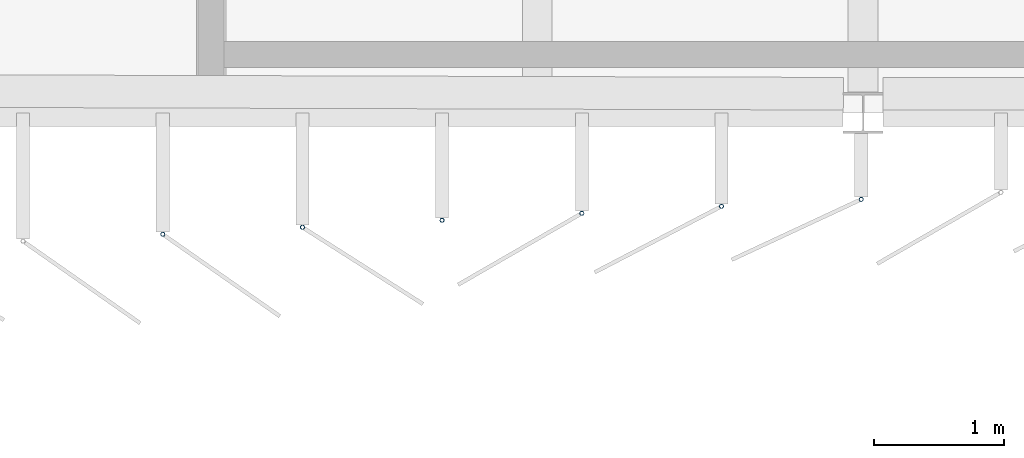
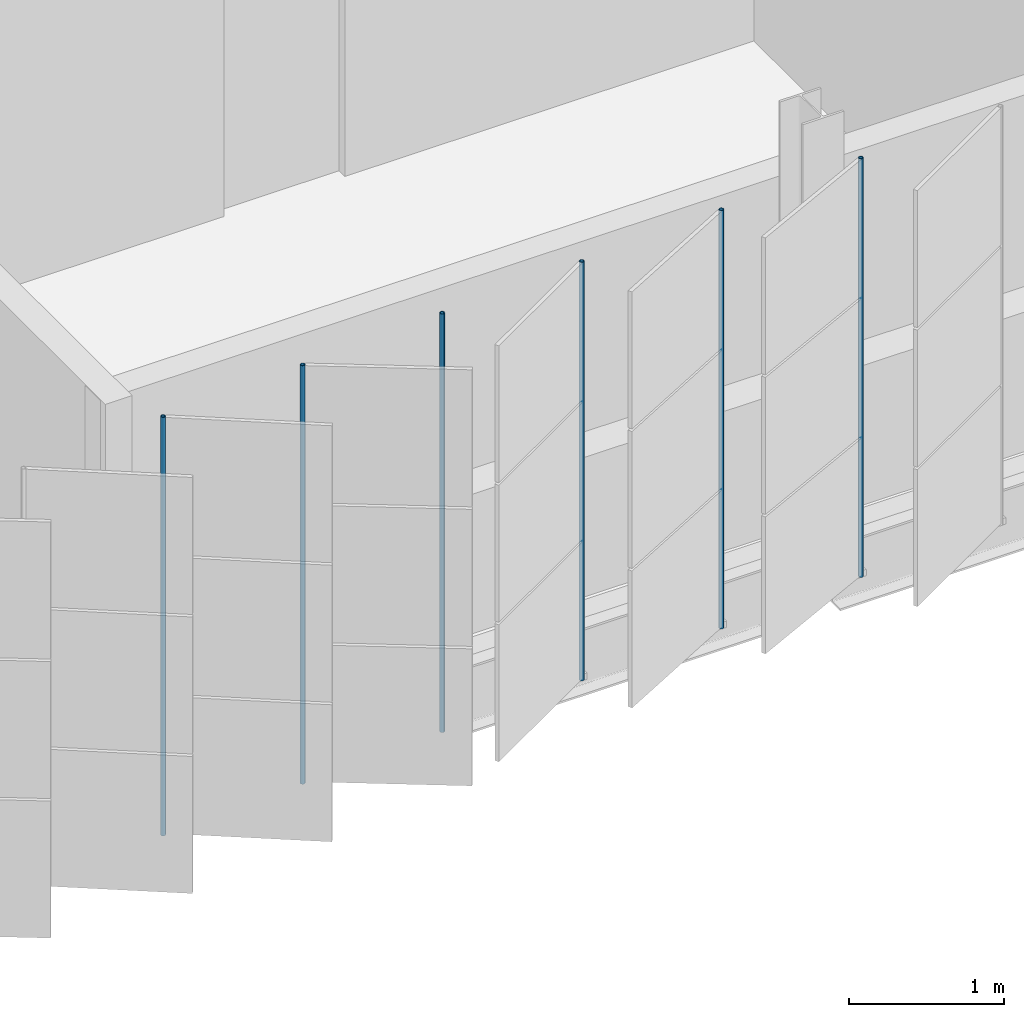
# One storey, part 83 of 214: 6 discrete accessories.
"""IFC4 building model written with IfcOpenShell, lengths in metres."""

from ifc_helpers import new_model, si_unit, direction, frame, origin, origin_2d, place, context, subcontext, project, spatial, hollow_circle, extrude, material, material_profile, profile_set, type_object, element, save


model = new_model("IFC4")

# Units and contexts
model_context = context("Model", 3, precision=1e-05, world=origin(), true_north=direction((0.0, 1.0)))
body_context = subcontext(model_context, "Body", "Model", "MODEL_VIEW")
ifc_project = project(units=[si_unit("LENGTHUNIT", "METRE"), si_unit("AREAUNIT", "SQUARE_METRE"), si_unit("VOLUMEUNIT", "CUBIC_METRE"), si_unit("PLANEANGLEUNIT", "RADIAN"), si_unit("MASSUNIT", "GRAM", prefix="KILO")], contexts=[model_context])

# Site, building, storey
site_placement = place(None, origin())
site = spatial("IfcSite", under=ifc_project, at=site_placement, CompositionType="ELEMENT")
building_placement = place(site_placement, origin())
building = spatial("IfcBuilding", under=site, at=building_placement, Name="Parallax Yard Mobility Hub", CompositionType="ELEMENT")
storey_placement = place(building_placement, frame((0.0, 0.0, 3.300048828125)))
storey = spatial("IfcBuildingStorey", under=building, at=storey_placement, Name="L01", CompositionType="ELEMENT", Elevation=3.300048828125)

# Discrete accessories
ifc_material = material(Name="Steel ASTM A500 Gr C, hot-dip galvanised", Category="steel")
ifc_material_profile = material_profile(ifc_material, hollow_circle(Radius=0.016845703125, WallThickness=0.003173828125, at=origin_2d()), Name="CHS 33.7x3.2")
ifc_profile_set = profile_set([ifc_material_profile], Name="Steel ASTM A500 Gr C, hot-dip galvanised")
discrete_accessory_type = type_object("IfcDiscreteAccessoryType", Name="Hinge post CHS 33.7x3.2", PredefinedType="BRACKET", material=ifc_profile_set)
for number, where, z_axis, x_axis, name in (
    (1, (32.12841796875, 111.569580078125, 0.0), (0.0, 0.0, 1.0), (1.0, 0.0, 0.0), "Hinge post bay 1.3 level L01"),
    (2, (33.19970703125, 111.623291015625, 0.0), (0.0, 0.0, 1.0), (1.0, 0.0, 0.0), "Hinge post bay 1.4 level L01"),
    (3, (34.271240234375, 111.6767578125, 0.0), (0.0, 0.0, 1.0), (1.0, 0.0, 0.0), "Hinge post bay 1.5 level L01"),
    (4, (35.3427734375, 111.73046875, 0.0), (0.0, 0.0, 1.0), (1.0, 0.0, 0.0), "Hinge post bay 1.6 level L01"),
    (5, (36.414306640625, 111.783935546875, 0.0), (0.0, 0.0, 1.0), (1.0, 0.0, 0.0), "Hinge post bay 1.7 level L01"),
    (6, (37.48583984375, 111.83740234375, 0.0), (0.0, 0.0, 1.0), (1.0, 0.0, 0.0), "Hinge post bay 2.1 level L01"),
):
    element("IfcDiscreteAccessory", number, at=place(storey_placement, frame(where, z_axis=z_axis, x_axis=x_axis)), inside=storey, type_object=discrete_accessory_type, Name=name, PredefinedType="BRACKET", context=body_context, shape_type="SweptSolid", body=[
        extrude(hollow_circle(Radius=0.016845703125, WallThickness=0.003173828125, at=origin_2d()), origin(), (0.0, 0.0, 1.0), 3.300048828125),
    ])

save(model, "model.ifc")
